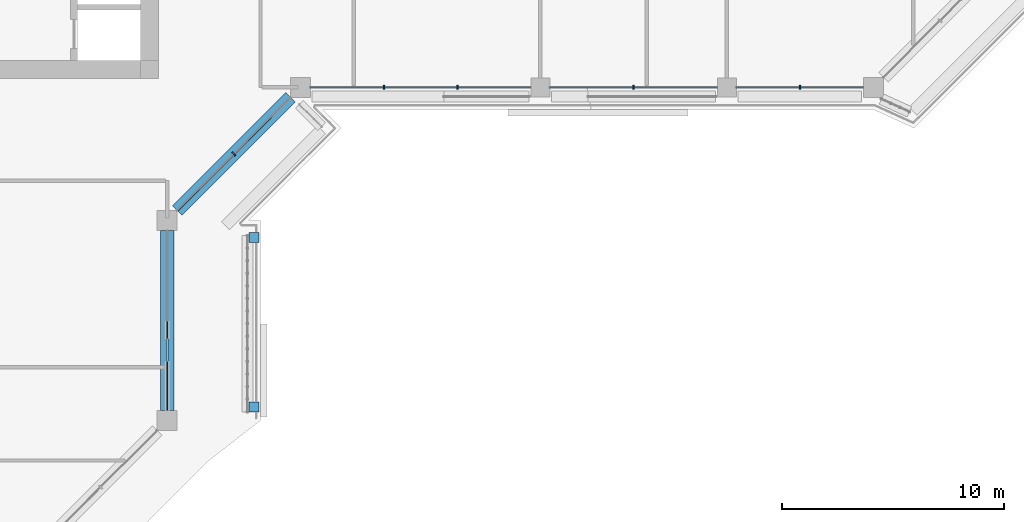
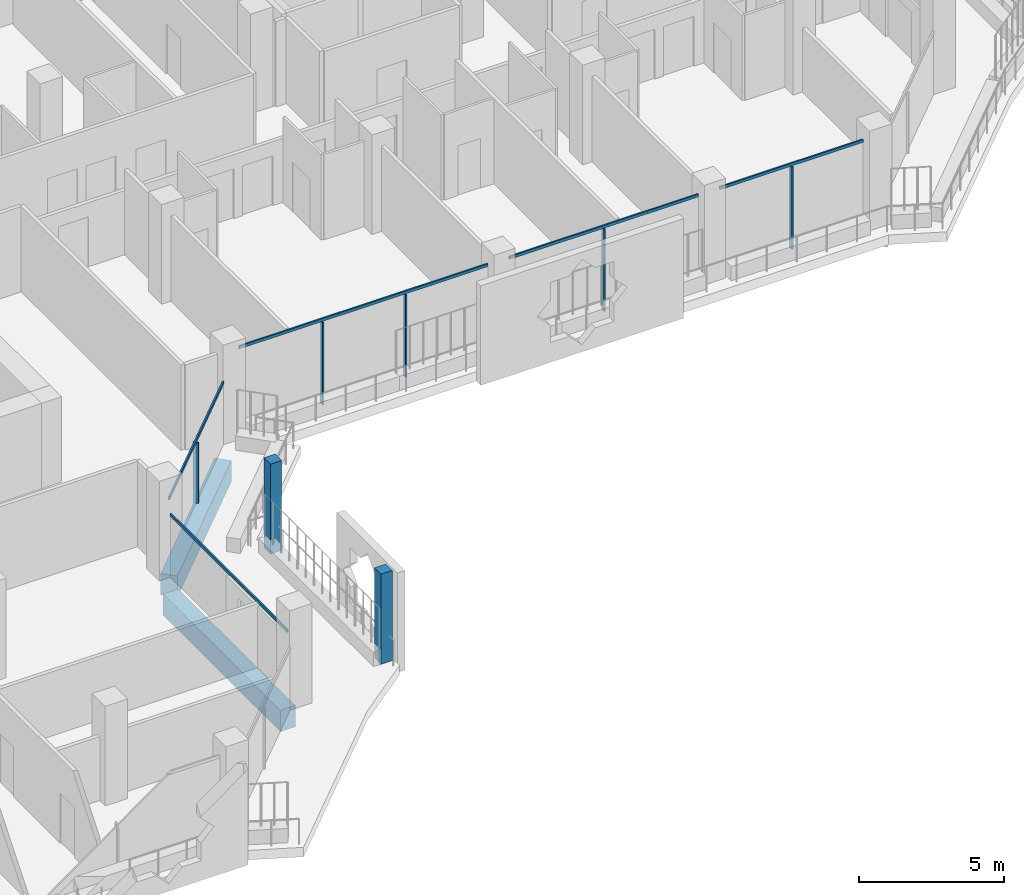
# One storey, part 4 of 23: 12 members, 2 beams, 4 elements without a shape of their own.
"""IFC4 building model written with IfcOpenShell, lengths in metres."""

import ifcopenshell
import ifcopenshell.guid

model = None  # the IFC model being written
_history = None  # IfcOwnerHistory: only IFC2X3 demands one
_inside = {}  # id of a spatial element -> (the spatial element, [elements in it])
_under = {}  # id of a project, library or spatial element -> (it, [spatial elements below it])
_declared = {}  # id of a project -> (the project, [libraries it declares])
_typed = {}  # id of a type object -> (the type object, [elements of that type])
_made_of = {}  # id of a material, layer set ... -> (it, [elements and type objects made of it])


def new_model(schema):
    """Start an empty IFC model of exactly this schema.

    Asked for "IFC4X3", IfcOpenShell would pick the latest addendum, in which some entities
    have other attributes; the version numbers below select the first issue.
    IFC2X3 requires an IfcOwnerHistory on every rooted entity: one is made here for all.
    """
    global model, _history
    if schema == "IFC4X3":
        model = ifcopenshell.file(schema_version=(4, 3, 0, 0))
    else:
        model = ifcopenshell.file(schema=schema)
    _inside.clear()
    _under.clear()
    _declared.clear()
    _typed.clear()
    _made_of.clear()
    _history = None
    if model.schema == "IFC2X3":
        org = make("IfcOrganization", Name="unknown")
        user = make(
            "IfcPersonAndOrganization",
            ThePerson=make("IfcPerson", FamilyName="unknown"),
            TheOrganization=org,
        )
        app = make(
            "IfcApplication",
            ApplicationDeveloper=org,
            Version="unknown",
            ApplicationFullName="unknown",
            ApplicationIdentifier="unknown",
        )
        _history = make(
            "IfcOwnerHistory",
            OwningUser=user,
            OwningApplication=app,
            ChangeAction="ADDED",
            CreationDate=0,
        )
    return model


def make(cls, **values):
    """One entity of the class cls with the attributes given. An attribute that is None is left unset."""
    return model.create_entity(
        cls, **{name: value for name, value in values.items() if value is not None}
    )


def rooted(cls, **values):
    """An entity with a GlobalId (a new one), such as an element, a storey or a relation."""
    return make(cls, GlobalId=ifcopenshell.guid.new(), OwnerHistory=_history, **values)


def si_unit(unit_type, name, prefix=None):
    """IfcSIUnit, for example si_unit("LENGTHUNIT", "METRE", prefix="MILLI")."""
    return make("IfcSIUnit", UnitType=unit_type, Prefix=prefix, Name=name)


def assignment(units):
    """IfcUnitAssignment: the units of a project."""
    return None if units is None else make("IfcUnitAssignment", Units=units)


def point(xyz):
    """IfcCartesianPoint."""
    return None if xyz is None else make("IfcCartesianPoint", Coordinates=xyz)


def direction(xyz):
    """IfcDirection."""
    return None if xyz is None else make("IfcDirection", DirectionRatios=xyz)


def frame(location, z_axis=None, x_axis=None):
    """IfcAxis2Placement3D, a coordinate frame: its origin and axes. An axis left out is left unset."""
    return make(
        "IfcAxis2Placement3D",
        Location=point(location),
        Axis=direction(z_axis),
        RefDirection=direction(x_axis),
    )


def frame_2d(location, x_axis=None):
    """IfcAxis2Placement2D, a coordinate frame in the plane: its origin and x axis."""
    return make(
        "IfcAxis2Placement2D", Location=point(location), RefDirection=direction(x_axis)
    )


def origin():
    """The frame at (0, 0, 0) with its axes left unset."""
    return frame((0.0, 0.0, 0.0))


def origin_2d():
    """The frame at (0, 0) in the plane with its x axis left unset."""
    return frame_2d((0.0, 0.0))


def place(relative_to, where):
    """IfcLocalPlacement: puts the frame where relative to a parent placement (None: the world)."""
    return make(
        "IfcLocalPlacement", PlacementRelTo=relative_to, RelativePlacement=where
    )


def context(
    kind, dimensions, precision=None, world=None, true_north=None, identifier=None
):
    """IfcGeometricRepresentationContext, for example the 3D "Model" context."""
    return make(
        "IfcGeometricRepresentationContext",
        ContextIdentifier=identifier,
        ContextType=kind,
        CoordinateSpaceDimension=dimensions,
        Precision=precision,
        WorldCoordinateSystem=world,
        TrueNorth=true_north,
    )


def subcontext(parent, identifier, kind, view, scale=None):
    """IfcGeometricRepresentationSubContext, for example "Body" below "Model"."""
    return make(
        "IfcGeometricRepresentationSubContext",
        ContextIdentifier=identifier,
        ContextType=kind,
        ParentContext=parent,
        TargetScale=scale,
        TargetView=view,
    )


def project(units=None, contexts=None):
    """IfcProject with its units and contexts."""
    return rooted(
        "IfcProject",
        Name="project",
        RepresentationContexts=contexts,
        UnitsInContext=assignment(units),
    )


def spatial(cls, under=None, at=None, **own):
    """A site, building, storey or space (cls), placed at a placement, below another one or the project."""
    s = rooted(cls, ObjectPlacement=at, **own)
    if under is not None:
        _under.setdefault(under.id(), (under, []))[1].append(s)
    return s


def profile(cls, at=None, kind="AREA", **sizes):
    """A parametric profile (cls). Its sizes go by their IFC names, for example OverallWidth=200.0."""
    return make(cls, ProfileType=kind, Position=at, **sizes)


def rectangle(**sizes):
    """IfcRectangleProfileDef."""
    return profile("IfcRectangleProfileDef", **sizes)


def extrude(swept, where, along, depth):
    """IfcExtrudedAreaSolid: the profile swept, set in the frame where, extruded along a direction by depth."""
    return make(
        "IfcExtrudedAreaSolid",
        SweptArea=swept,
        Position=where,
        ExtrudedDirection=direction(along),
        Depth=depth,
    )


def shape(context_of_items, identifier, shape_type, items):
    """IfcShapeRepresentation: the items that make up one representation, for example the "Body"."""
    return make(
        "IfcShapeRepresentation",
        ContextOfItems=context_of_items,
        RepresentationIdentifier=identifier,
        RepresentationType=shape_type,
        Items=items,
    )


def material(Name=None, Category=None):
    """IfcMaterial."""
    return make("IfcMaterial", Name=Name, Category=Category)


def layer(
    of_material, thickness, ventilated=None, Name=None, Category=None, Priority=None
):
    """IfcMaterialLayer: one layer of a wall or slab, of a material (None: an air gap)."""
    return make(
        "IfcMaterialLayer",
        Material=of_material,
        LayerThickness=thickness,
        IsVentilated=ventilated,
        Name=Name,
        Category=Category,
        Priority=Priority,
    )


def layer_set(layers, Name=None):
    """IfcMaterialLayerSet."""
    return make("IfcMaterialLayerSet", MaterialLayers=layers, LayerSetName=Name)


def material_profile(
    of_material, cross_section, Name=None, Category=None, Priority=None
):
    """IfcMaterialProfile: a cross section and its material."""
    return make(
        "IfcMaterialProfile",
        Name=Name,
        Material=of_material,
        Profile=cross_section,
        Priority=Priority,
        Category=Category,
    )


def profile_set(profiles, Name=None, composite=None):
    """IfcMaterialProfileSet."""
    return make(
        "IfcMaterialProfileSet",
        Name=Name,
        MaterialProfiles=profiles,
        CompositeProfile=composite,
    )


def made_of(thing, what):
    """Note that an element or type object is made of a material, layer set ...; save() writes the relation."""
    if what is not None:
        _made_of.setdefault(what.id(), (what, []))[1].append(thing)
    return thing


def type_object(cls, material=None, **own):
    """A type object (cls), such as IfcWallType, which elements share."""
    return made_of(rooted(cls, **own), material)


def element(
    cls,
    number,
    at=None,
    inside=None,
    cuts=None,
    type_object=None,
    material=None,
    context=None,
    identifier="Body",
    shape_type=None,
    held_by="IfcProductDefinitionShape",
    body=None,
    shapes=None,
    **own,
):
    """One element of the class cls, such as IfcWall. Its Tag is "e" and its number.

    at: its placement. inside: the storey or other place that contains it. cuts: it is an
    opening in that element (IfcRelVoidsElement). A single representation is given by context,
    identifier, shape_type and body (its items); several are given by shapes. held_by: the class
    of the entity that holds the representations. save() writes the other relations.
    """
    e = rooted(cls, Tag="e%d" % number, ObjectPlacement=at, **own)
    if body is not None:
        shapes = [shape(context, identifier, shape_type, body)]
    if shapes is not None:
        e.Representation = make(held_by, Representations=shapes)
    if inside is not None:
        _inside.setdefault(inside.id(), (inside, []))[1].append(e)
    if cuts is not None:
        rooted(
            "IfcRelVoidsElement", RelatingBuildingElement=cuts, RelatedOpeningElement=e
        )
    if type_object is not None:
        _typed.setdefault(type_object.id(), (type_object, []))[1].append(e)
    return made_of(e, material)


def aggregate(whole, parts):
    """IfcRelAggregates: a whole, such as a stair, and the parts it consists of."""
    return rooted("IfcRelAggregates", RelatingObject=whole, RelatedObjects=parts)


def save(model, path):
    """Write the relations noted so far, then the file.

    IfcRelAggregates (storeys below a building ...), IfcRelContainedInSpatialStructure (elements
    in a storey), IfcRelDefinesByType, IfcRelAssociatesMaterial and IfcRelDeclares: one each for
    every whole, place, type object, material and project.
    """
    for whole, parts in _under.values():
        aggregate(whole, parts)
    for where, things in _inside.values():
        rooted(
            "IfcRelContainedInSpatialStructure",
            RelatedElements=things,
            RelatingStructure=where,
        )
    for kind, things in _typed.values():
        rooted("IfcRelDefinesByType", RelatedObjects=things, RelatingType=kind)
    for what, things in _made_of.values():
        rooted("IfcRelAssociatesMaterial", RelatedObjects=things, RelatingMaterial=what)
    for by, libraries in _declared.values():
        rooted("IfcRelDeclares", RelatingContext=by, RelatedDefinitions=libraries)
    model.write(path)


model = new_model("IFC4")

# Units and contexts
model_context = context("Model", 3, precision=1e-05, world=origin(), true_north=direction((0.0, 1.0)))
body_context = subcontext(model_context, "Body", "Model", "MODEL_VIEW")
ifc_project = project(units=[si_unit("LENGTHUNIT", "METRE"), si_unit("AREAUNIT", "SQUARE_METRE"), si_unit("VOLUMEUNIT", "CUBIC_METRE"), si_unit("PLANEANGLEUNIT", "RADIAN"), si_unit("MASSUNIT", "GRAM", prefix="KILO")], contexts=[model_context])

# Site, building, storey
site_placement = place(None, origin())
site = spatial("IfcSite", under=ifc_project, at=site_placement, CompositionType="ELEMENT")
building_placement = place(site_placement, origin())
building = spatial("IfcBuilding", under=site, at=building_placement, Name="Kawkab Arch Medical Tower", CompositionType="ELEMENT")
storey_placement = place(building_placement, frame((0.0, 0.0, 247.39990234375)))
storey = spatial("IfcBuildingStorey", under=building, at=storey_placement, Name="L57", CompositionType="ELEMENT", Elevation=247.39990234375)

# Curtain wall, members
ifc_material_1 = material(Name="Bronze anodised aluminium curtain wall frame", Category="aluminium")
ifc_layer_1 = layer(ifc_material_1, 0.159912109375)
ifc_layer_set_1 = layer_set([ifc_layer_1], Name="Bronze anodised aluminium curtain wall frame")
curtain_wall_type_1 = type_object("IfcCurtainWallType", Name="CW1 ward curtain wall", PredefinedType="NOTDEFINED", material=ifc_layer_set_1)
placement = place(storey_placement, origin())
curtain_wall_1 = element("IfcCurtainWall", 1, at=placement, inside=storey, type_object=curtain_wall_type_1, Name="CW1 Ward curtain wall R07", PredefinedType="NOTDEFINED")
ifc_material_2 = material(Name="Bronze anodised aluminium curtain wall frame", Category="aluminium")
ifc_material_profile_1 = material_profile(ifc_material_2, rectangle(XDim=0.179931640625, YDim=0.06005859375, at=origin_2d()), Name="AL 60x180")
ifc_profile_set_1 = profile_set([ifc_material_profile_1], Name="Bronze anodised aluminium curtain wall frame")
member_type_1 = type_object("IfcMemberType", Name="CW1 mullion 60 x 180", PredefinedType="MULLION", material=ifc_profile_set_1)
member_1_placement = place(storey_placement, frame((34.958251953125, -25.199951171875, 0.0), z_axis=(0.0, 0.0, 1.0), x_axis=(0.0, 1.0, 0.0)))
member_1 = element("IfcMember", 2, at=member_1_placement, type_object=member_type_1, Name="CW1 mullion 1.1", PredefinedType="MULLION", context=body_context, shape_type="SweptSolid", body=[
    extrude(rectangle(XDim=0.179931640625, YDim=0.06005859375, at=origin_2d()), origin(), (0.0, 0.0, 1.0), 3.47998046875),
])
member_2_placement = place(storey_placement, frame((38.2666015625, -25.199951171875, 0.0), z_axis=(0.0, 0.0, 1.0), x_axis=(0.0, 1.0, 0.0)))
member_2 = element("IfcMember", 3, at=member_2_placement, type_object=member_type_1, Name="CW1 mullion 1.2", PredefinedType="MULLION", context=body_context, shape_type="SweptSolid", body=[
    extrude(rectangle(XDim=0.179931640625, YDim=0.06005859375, at=origin_2d()), origin(), (0.0, 0.0, 1.0), 3.47998046875),
])
member_3_placement = place(storey_placement, frame((46.199951171875, -25.199951171875, 0.0), z_axis=(0.0, 0.0, 1.0), x_axis=(0.0, 1.0, 0.0)))
member_3 = element("IfcMember", 4, at=member_3_placement, type_object=member_type_1, Name="CW1 mullion 2.1", PredefinedType="MULLION", context=body_context, shape_type="SweptSolid", body=[
    extrude(rectangle(XDim=0.179931640625, YDim=0.06005859375, at=origin_2d()), origin(), (0.0, 0.0, 1.0), 3.47998046875),
])
member_4_placement = place(storey_placement, frame((53.6875, -25.199951171875, 0.0), z_axis=(0.0, 0.0, 1.0), x_axis=(0.0, 1.0, 0.0)))
member_4 = element("IfcMember", 5, at=member_4_placement, type_object=member_type_1, Name="CW1 mullion 3.1", PredefinedType="MULLION", context=body_context, shape_type="SweptSolid", body=[
    extrude(rectangle(XDim=0.179931640625, YDim=0.06005859375, at=origin_2d()), origin(), (0.0, 0.0, 1.0), 3.47998046875),
])

# Curtain wall, member
curtain_wall_2 = element("IfcCurtainWall", 6, at=placement, inside=storey, type_object=curtain_wall_type_1, Name="CW1 Ward curtain wall R05", PredefinedType="NOTDEFINED")
ifc_material_3 = material(Name="Bronze anodised aluminium curtain wall frame", Category="aluminium")
ifc_material_profile_2 = material_profile(ifc_material_3, rectangle(XDim=0.06005859375, YDim=0.1201171875, at=origin_2d()), Name="AL 60x120")
ifc_profile_set_2 = profile_set([ifc_material_profile_2], Name="Bronze anodised aluminium curtain wall frame")
member_type_2 = type_object("IfcMemberType", Name="CW1 transom 120 x 60", PredefinedType="USERDEFINED", material=ifc_profile_set_2)
member_5_placement = place(storey_placement, frame((25.199951171875, -39.75, 2.64013671875), z_axis=(0.0, 1.0, 0.0), x_axis=(-1.0, 0.0, 0.0)))
member_5 = element("IfcMember", 7, at=member_5_placement, type_object=member_type_2, Name="CW1 transom 1", ObjectType="TRANSOM", PredefinedType="USERDEFINED", context=body_context, shape_type="SweptSolid", body=[
    extrude(rectangle(XDim=0.06005859375, YDim=0.1201171875, at=origin_2d()), origin(), (0.0, 0.0, 1.0), 8.10009765625),
])
aggregate(curtain_wall_2, [member_5])

# Member
member_6_placement = place(storey_placement, frame((31.64990234375, -25.199951171875, 3.5400390625), z_axis=(1.0, 0.0, 0.0), x_axis=(0.0, 1.0, 0.0)))
member_6 = element("IfcMember", 8, at=member_6_placement, type_object=member_type_2, Name="CW1 transom 1", ObjectType="TRANSOM", PredefinedType="USERDEFINED", context=body_context, shape_type="SweptSolid", body=[
    extrude(rectangle(XDim=0.06005859375, YDim=0.1201171875, at=origin_2d()), origin(), (0.0, 0.0, 1.0), 9.925048828125),
])

member_7_placement = place(storey_placement, frame((42.425048828125, -25.199951171875, 3.5400390625), z_axis=(1.0, 0.0, 0.0), x_axis=(0.0, 1.0, 0.0)))
member_7 = element("IfcMember", 9, at=member_7_placement, type_object=member_type_2, Name="CW1 transom 2", ObjectType="TRANSOM", PredefinedType="USERDEFINED", context=body_context, shape_type="SweptSolid", body=[
    extrude(rectangle(XDim=0.06005859375, YDim=0.1201171875, at=origin_2d()), origin(), (0.0, 0.0, 1.0), 7.550048828125),
])

member_8_placement = place(storey_placement, frame((50.824951171875, -25.199951171875, 3.5400390625), z_axis=(1.0, 0.0, 0.0), x_axis=(0.0, 1.0, 0.0)))
member_8 = element("IfcMember", 10, at=member_8_placement, type_object=member_type_2, Name="CW1 transom 3", ObjectType="TRANSOM", PredefinedType="USERDEFINED", context=body_context, shape_type="SweptSolid", body=[
    extrude(rectangle(XDim=0.06005859375, YDim=0.1201171875, at=origin_2d()), origin(), (0.0, 0.0, 1.0), 5.72509765625),
])

aggregate(curtain_wall_1, [member_6, member_1, member_2, member_7, member_3, member_8, member_4])

# Curtain wall, members
ifc_material_4 = material(Name="Bronze anodised aluminium curtain wall frame", Category="aluminium")
ifc_layer_2 = layer(ifc_material_4, 0.159912109375)
ifc_layer_set_2 = layer_set([ifc_layer_2], Name="Bronze anodised aluminium curtain wall frame")
curtain_wall_type_2 = type_object("IfcCurtainWallType", Name="CW2 chamfer curtain wall", PredefinedType="NOTDEFINED", material=ifc_layer_set_2)
curtain_wall_3 = element("IfcCurtainWall", 11, at=placement, inside=storey, type_object=curtain_wall_type_2, Name="CW2 Chamfer curtain wall R06", PredefinedType="NOTDEFINED")
ifc_material_5 = material(Name="Bronze anodised aluminium curtain wall frame", Category="aluminium")
ifc_material_profile_3 = material_profile(ifc_material_5, rectangle(XDim=0.199951171875, YDim=0.06005859375, at=origin_2d()), Name="AL 60x200")
ifc_profile_set_3 = profile_set([ifc_material_profile_3], Name="Bronze anodised aluminium curtain wall frame")
member_type_3 = type_object("IfcMemberType", Name="CW2 mullion 60 x 200", PredefinedType="MULLION", material=ifc_profile_set_3)
member_9_placement = place(storey_placement, frame((28.199951171875, -28.199951171875, 0.0), z_axis=(0.0, 0.0, 1.0), x_axis=(-0.707106781187, 0.707106781187, 0.0)))
member_9 = element("IfcMember", 12, at=member_9_placement, type_object=member_type_3, Name="CW2 mullion 1.1", PredefinedType="MULLION", context=body_context, shape_type="SweptSolid", body=[
    extrude(rectangle(XDim=0.199951171875, YDim=0.06005859375, at=origin_2d()), origin(), (0.0, 0.0, 1.0), 2.56005859375),
])
ifc_material_6 = material(Name="Bronze anodised aluminium curtain wall frame", Category="aluminium")
ifc_material_profile_4 = material_profile(ifc_material_6, rectangle(XDim=0.06005859375, YDim=0.139892578125, at=origin_2d()), Name="AL 60x140")
ifc_profile_set_4 = profile_set([ifc_material_profile_4], Name="Bronze anodised aluminium curtain wall frame")
member_type_4 = type_object("IfcMemberType", Name="CW2 transom 140 x 60", PredefinedType="USERDEFINED", material=ifc_profile_set_4)
member_10_placement = place(storey_placement, frame((25.64990234375, -30.75, 2.630126953125), z_axis=(0.707106781187, 0.707106781187, 0.0), x_axis=(-0.707106781187, 0.707106781187, 0.0)))
member_10 = element("IfcMember", 13, at=member_10_placement, type_object=member_type_4, Name="CW2 transom 1", ObjectType="TRANSOM", PredefinedType="USERDEFINED", context=body_context, shape_type="SweptSolid", body=[
    extrude(rectangle(XDim=0.06005859375, YDim=0.139892578125, at=origin_2d()), origin(), (0.0, 0.0, 1.0), 7.212646484375),
])
aggregate(curtain_wall_3, [member_10, member_9])

ifc_material_7 = material(Name="Bronze anodised aluminium climber frame, planted", Category="aluminium")
ifc_layer_3 = layer(ifc_material_7, 0.449951171875)
ifc_layer_set_3 = layer_set([ifc_layer_3], Name="Bronze anodised aluminium climber frame, planted")
curtain_wall_type_3 = type_object("IfcCurtainWallType", Name="Planted climber frame", PredefinedType="NOTDEFINED", material=ifc_layer_set_3)
curtain_wall_4 = element("IfcCurtainWall", 14, at=placement, inside=storey, type_object=curtain_wall_type_3, Name="Planted climber frame L57", PredefinedType="NOTDEFINED")
ifc_material_8 = material(Name="Bronze anodised aluminium climber frame, planted", Category="aluminium")
ifc_material_profile_5 = material_profile(ifc_material_8, rectangle(XDim=0.449951171875, YDim=0.449951171875, at=origin_2d()), Name="Post 450x450")
ifc_profile_set_5 = profile_set([ifc_material_profile_5], Name="Bronze anodised aluminium climber frame, planted")
member_type_5 = type_object("IfcMemberType", Name="Planted climber post 450 x 450", PredefinedType="MULLION", material=ifc_profile_set_5)
member_11_placement = place(storey_placement, frame((29.10009765625, -31.949951171875, 0.0), z_axis=(0.0, 0.0, 1.0), x_axis=(1.0, 0.0, 0.0)))
member_11 = element("IfcMember", 15, at=member_11_placement, type_object=member_type_5, Name="Planted climber post L57.LOG-01-01.3", PredefinedType="MULLION", context=body_context, shape_type="SweptSolid", body=[
    extrude(rectangle(XDim=0.449951171875, YDim=0.449951171875, at=origin_2d()), origin(), (0.0, 0.0, 1.0), 3.800048828125),
])
member_12_placement = place(storey_placement, frame((29.10009765625, -39.60302734375, 0.0), z_axis=(0.0, 0.0, 1.0), x_axis=(1.0, 0.0, 0.0)))
member_12 = element("IfcMember", 16, at=member_12_placement, type_object=member_type_5, Name="Planted climber post L57.LOG-01-01.4", PredefinedType="MULLION", context=body_context, shape_type="SweptSolid", body=[
    extrude(rectangle(XDim=0.449951171875, YDim=0.449951171875, at=origin_2d()), origin(), (0.0, 0.0, 1.0), 3.800048828125),
])
aggregate(curtain_wall_4, [member_11, member_12])

# Beams
ifc_material_9 = material(Name="Concrete C45/55", Category="concrete")
ifc_material_profile_6 = material_profile(ifc_material_9, rectangle(XDim=0.60009765625, YDim=0.89990234375, at=origin_2d()), Name="RC 600x900")
ifc_profile_set_6 = profile_set([ifc_material_profile_6], Name="Concrete C45/55")
beam_type = type_object("IfcBeamType", Name="RC 600x900 beam C45/55", PredefinedType="BEAM", material=ifc_profile_set_6)
beam_1_placement = place(storey_placement, frame((30.75, -25.64990234375, -1.0498046875), z_axis=(-0.707106781187, -0.707106781187, 0.0), x_axis=(0.707106781187, -0.707106781187, 0.0)))
element("IfcBeam", 17, at=beam_1_placement, inside=storey, type_object=beam_type, Name="Overhang edge beam L57-04", PredefinedType="BEAM", context=body_context, shape_type="SweptSolid", body=[
    extrude(rectangle(XDim=0.60009765625, YDim=0.89990234375, at=origin_2d()), origin(), (0.0, 0.0, 1.0), 7.212646484375),
])
beam_2_placement = place(storey_placement, frame((25.199951171875, -31.64990234375, -1.0498046875), z_axis=(0.0, -1.0, 0.0), x_axis=(1.0, 0.0, 0.0)))
element("IfcBeam", 18, at=beam_2_placement, inside=storey, type_object=beam_type, Name="Overhang edge beam L57-05", PredefinedType="BEAM", context=body_context, shape_type="SweptSolid", body=[
    extrude(rectangle(XDim=0.60009765625, YDim=0.89990234375, at=origin_2d()), origin(), (0.0, 0.0, 1.0), 8.10009765625),
])

save(model, "model.ifc")
